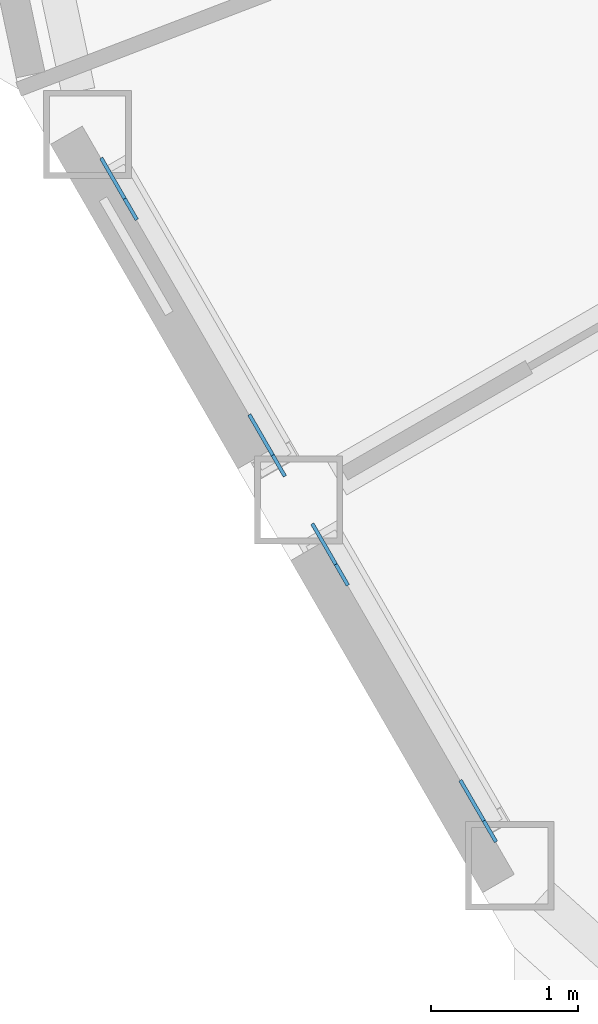
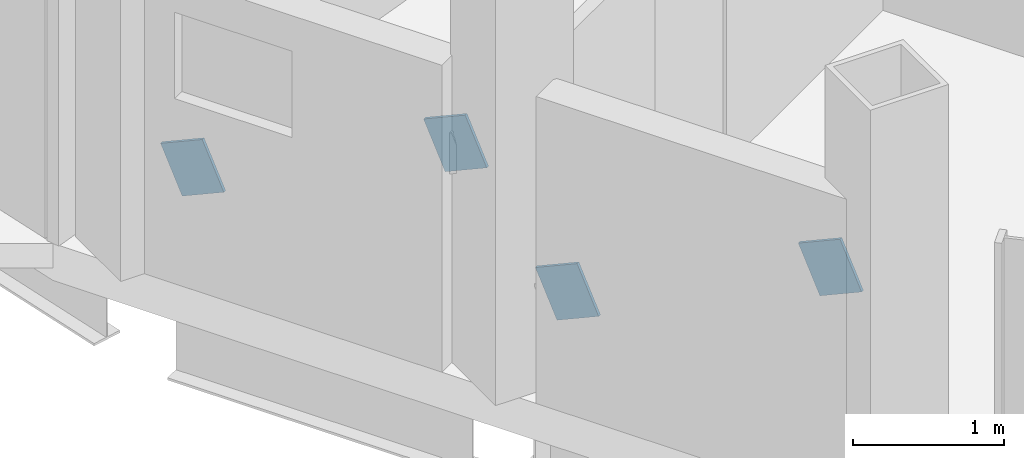
# One storey, part 20 of 27: 4 discrete accessories.
"""IFC4 building model written with IfcOpenShell, lengths in metres."""

from ifc_helpers import new_model, si_unit, direction, frame, origin, origin_2d, place, context, subcontext, project, spatial, rectangle, extrude, material, material_profile, profile_set, type_object, element, save


model = new_model("IFC4")

# Units and contexts
model_context = context("Model", 3, precision=1e-05, world=origin(), true_north=direction((0.0, 1.0)))
body_context = subcontext(model_context, "Body", "Model", "MODEL_VIEW")
ifc_project = project(units=[si_unit("LENGTHUNIT", "METRE"), si_unit("AREAUNIT", "SQUARE_METRE"), si_unit("VOLUMEUNIT", "CUBIC_METRE"), si_unit("PLANEANGLEUNIT", "RADIAN"), si_unit("MASSUNIT", "GRAM", prefix="KILO")], contexts=[model_context])

# Site, building, storey
site_placement = place(None, origin())
site = spatial("IfcSite", under=ifc_project, at=site_placement, CompositionType="ELEMENT")
building_placement = place(site_placement, origin())
building = spatial("IfcBuilding", under=site, at=building_placement, Name="Cormorant Prow Tower", CompositionType="ELEMENT")
storey_placement = place(building_placement, frame((0.0, 0.0, 315.39990234375)))
storey = spatial("IfcBuildingStorey", under=building, at=storey_placement, Name="L69", CompositionType="ELEMENT", Elevation=315.39990234375)

# Discrete accessories
ifc_material = material(Name="Structural steel ASTM A500 Gr C", Category="steel")
ifc_material_profile = material_profile(ifc_material, rectangle(XDim=0.02490234375, YDim=0.405029296875, at=origin_2d()), Name="Gusset plate 25x405")
ifc_profile_set = profile_set([ifc_material_profile], Name="Structural steel ASTM A500 Gr C")
discrete_accessory_type = type_object("IfcDiscreteAccessoryType", Name="Gusset plate 25x405", PredefinedType="BRACKET", material=ifc_profile_set)
for number, where, z_axis, x_axis, name in (
    (1, (-28.574951171875, -13.85888671875, 0.86376953125), (-0.456239480558, 0.790396531303, -0.408801736402), (-0.866071029786, -0.499920965119, 0.0), "Gusset plate GP3 L69.WSW00.g0"),
    (2, (-27.7265625, -15.328369140625, 1.624267578125), (0.456239480558, -0.790396531303, 0.408801736402), (0.866071029786, 0.499920965119, 0.0), "Gusset plate GP3 L69.WSW00.g1"),
    (3, (-27.137939453125, -16.34765625, 0.86376953125), (-0.45649114423, 0.790134518758, -0.409027233209), (-0.865879799044, -0.500252110048, 0.0), "Gusset plate GP3 L69.WSW01.g0"),
):
    element("IfcDiscreteAccessory", number, at=place(storey_placement, frame(where, z_axis=z_axis, x_axis=x_axis)), inside=storey, type_object=discrete_accessory_type, Name=name, PredefinedType="BRACKET", context=body_context, shape_type="SweptSolid", body=[
        extrude(rectangle(XDim=0.02490234375, YDim=0.405029296875, at=origin_2d()), origin(), (0.0, 0.0, 1.0), 0.349853515625),
    ])
discrete_accessory_placement = place(storey_placement, frame((-26.289794921875, -17.817138671875, 1.624267578125), z_axis=(0.456791619277, -0.790144892581, 0.408671586101), x_axis=(0.865740004385, 0.50049400077, 0.0)))
element("IfcDiscreteAccessory", 4, at=discrete_accessory_placement, inside=storey, type_object=discrete_accessory_type, Name="Gusset plate GP3 L69.WSW01.g1", PredefinedType="BRACKET", context=body_context, shape_type="SweptSolid", body=[
    extrude(rectangle(XDim=0.02490234375, YDim=0.405029296875, at=origin_2d()), origin(), (0.0, 0.0, 1.0), 0.35009765625),
])

save(model, "model.ifc")
